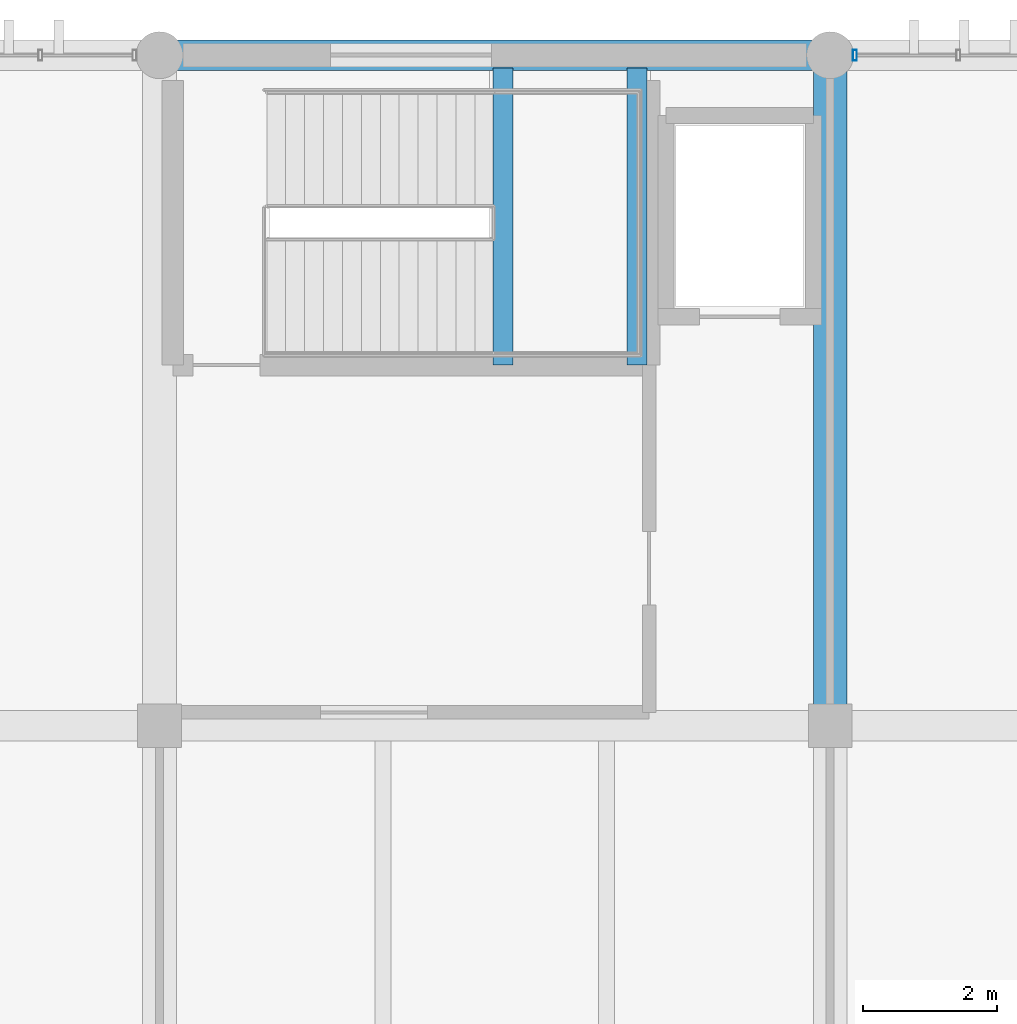
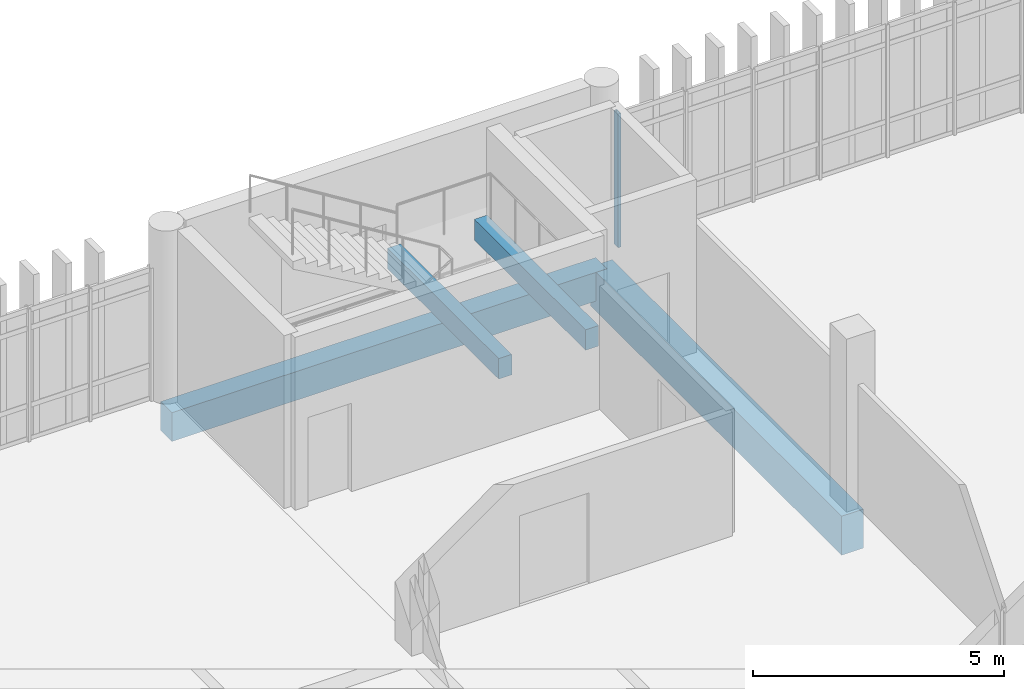
# One storey, part 36 of 82: 4 beams, 1 member, 1 element without a shape of its own.
"""IFC4 building model written with IfcOpenShell, lengths in metres."""

from ifc_helpers import new_model, si_unit, direction, frame, origin, origin_2d, place, context, subcontext, project, spatial, rectangle, hollow_rectangle, extrude, material, layer, layer_set, material_profile, profile_set, type_object, element, aggregate, save


model = new_model("IFC4")

# Units and contexts
model_context = context("Model", 3, precision=1e-05, world=origin(), true_north=direction((0.0, 1.0)))
body_context = subcontext(model_context, "Body", "Model", "MODEL_VIEW")
ifc_project = project(units=[si_unit("LENGTHUNIT", "METRE"), si_unit("AREAUNIT", "SQUARE_METRE"), si_unit("VOLUMEUNIT", "CUBIC_METRE"), si_unit("PLANEANGLEUNIT", "RADIAN"), si_unit("MASSUNIT", "GRAM", prefix="KILO")], contexts=[model_context])

# Site, building, storey
site_placement = place(None, origin())
site = spatial("IfcSite", under=ifc_project, at=site_placement, CompositionType="ELEMENT")
building_placement = place(site_placement, origin())
building = spatial("IfcBuilding", under=site, at=building_placement, Name="Mersad Railyard Sports Hall", CompositionType="ELEMENT")
storey_placement = place(building_placement, frame((0.0, 0.0, 13.199951171875)))
storey = spatial("IfcBuildingStorey", under=building, at=storey_placement, Name="L03", CompositionType="ELEMENT", Elevation=13.199951171875)

# Curtain wall, member
ifc_material_1 = material(Name="Aluminium 6063-T6", Category="aluminium")
ifc_layer = layer(ifc_material_1, 0.159912109375)
ifc_layer_set = layer_set([ifc_layer], Name="Aluminium 6063-T6")
curtain_wall_type = type_object("IfcCurtainWallType", Name="ARC-CW-CW58", PredefinedType="USERDEFINED", material=ifc_layer_set)
curtain_wall_placement = place(storey_placement, origin())
curtain_wall = element("IfcCurtainWall", 1, at=curtain_wall_placement, inside=storey, type_object=curtain_wall_type, Name="Curtain wall CW58-0153", ObjectType="CURTAIN WALL", PredefinedType="USERDEFINED")
ifc_material_profile_1 = material_profile(ifc_material_1, hollow_rectangle(XDim=0.06005859375, YDim=0.159912109375, WallThickness=0.00390625, at=origin_2d()), Name="AL MULLION 60x160x4")
ifc_profile_set_1 = profile_set([ifc_material_profile_1], Name="Aluminium 6063-T6")
member_type = type_object("IfcMemberType", Name="ARC-CW-MUL01", PredefinedType="MULLION", material=ifc_profile_set_1)
member_placement = place(storey_placement, frame((101.3701171875, 115.0, -0.02001953125), z_axis=(0.0, 0.0, 1.0), x_axis=(1.0, 0.0, 0.0)))
member = element("IfcMember", 2, at=member_placement, type_object=member_type, Name="CW58 Mullion 1", PredefinedType="MULLION", context=body_context, shape_type="SweptSolid", body=[
    extrude(hollow_rectangle(XDim=0.06005859375, YDim=0.159912109375, WallThickness=0.00390625, at=origin_2d()), origin(), (0.0, 0.0, 1.0), 3.25),
])
aggregate(curtain_wall, [member])

# Beams
ifc_material_2 = material(Name="Concrete C50/60", Category="concrete")
ifc_material_profile_2 = material_profile(ifc_material_2, rectangle(XDim=0.5, YDim=0.949951171875, at=origin_2d()), Name="RC 500x950")
ifc_profile_set_2 = profile_set([ifc_material_profile_2], Name="Concrete C50/60")
beam_type_1 = type_object("IfcBeamType", Name="STR-BM-B03", PredefinedType="BEAM", material=ifc_profile_set_2)
beam_1_placement = place(storey_placement, frame((101.0, 105.0, -0.794921875), z_axis=(0.0, 1.0, 0.0), x_axis=(-1.0, 0.0, 0.0)))
element("IfcBeam", 3, at=beam_1_placement, inside=storey, type_object=beam_type_1, Name="Beam B03-1261", PredefinedType="BEAM", context=body_context, shape_type="SweptSolid", body=[
    extrude(rectangle(XDim=0.5, YDim=0.949951171875, at=origin_2d()), origin(), (0.0, 0.0, 1.0), 10.0),
])
ifc_material_3 = material(Name="Concrete C40/50", Category="concrete")
ifc_material_profile_3 = material_profile(ifc_material_3, rectangle(XDim=0.300048828125, YDim=0.5, at=origin_2d()), Name="RC 300x500")
ifc_profile_set_3 = profile_set([ifc_material_profile_3], Name="Concrete C40/50")
beam_type_2 = type_object("IfcBeamType", Name="STR-BM-LN01", PredefinedType="LINTEL", material=ifc_profile_set_3)
for number, where, z_axis, x_axis, name in (
    (4, (96.1240234375, 110.3798828125, 1.670166015625), (0.0, 1.0, 0.0), (-1.0, 0.0, 0.0), "Stair ST02E landing beam W"),
    (5, (98.1201171875, 110.3798828125, 1.670166015625), (0.0, 1.0, 0.0), (-1.0, 0.0, 0.0), "Stair ST02E landing beam E"),
):
    element("IfcBeam", number, at=place(storey_placement, frame(where, z_axis=z_axis, x_axis=x_axis)), inside=storey, type_object=beam_type_2, Name=name, PredefinedType="LINTEL", context=body_context, shape_type="SweptSolid", body=[
        extrude(rectangle(XDim=0.300048828125, YDim=0.5, at=origin_2d()), origin(), (0.0, 0.0, 1.0), 4.43017578125),
    ])
ifc_material_4 = material(Name="Architectural concrete C40/50", Category="concrete")
ifc_material_profile_4 = material_profile(ifc_material_4, rectangle(XDim=0.449951171875, YDim=0.699951171875, at=origin_2d()), Name="RC 450x700")
ifc_profile_set_4 = profile_set([ifc_material_profile_4], Name="Architectural concrete C40/50")
beam_type_3 = type_object("IfcBeamType", Name="STR-BM-SP01", PredefinedType="SPANDREL", material=ifc_profile_set_4)
beam_2_placement = place(storey_placement, frame((91.0, 115.0, -0.669921875), z_axis=(1.0, 0.0, 0.0), x_axis=(0.0, 1.0, 0.0)))
element("IfcBeam", 6, at=beam_2_placement, inside=storey, type_object=beam_type_3, Name="Beam SP01-1240", PredefinedType="SPANDREL", context=body_context, shape_type="SweptSolid", body=[
    extrude(rectangle(XDim=0.449951171875, YDim=0.699951171875, at=origin_2d()), origin(), (0.0, 0.0, 1.0), 10.0),
])

save(model, "model.ifc")
